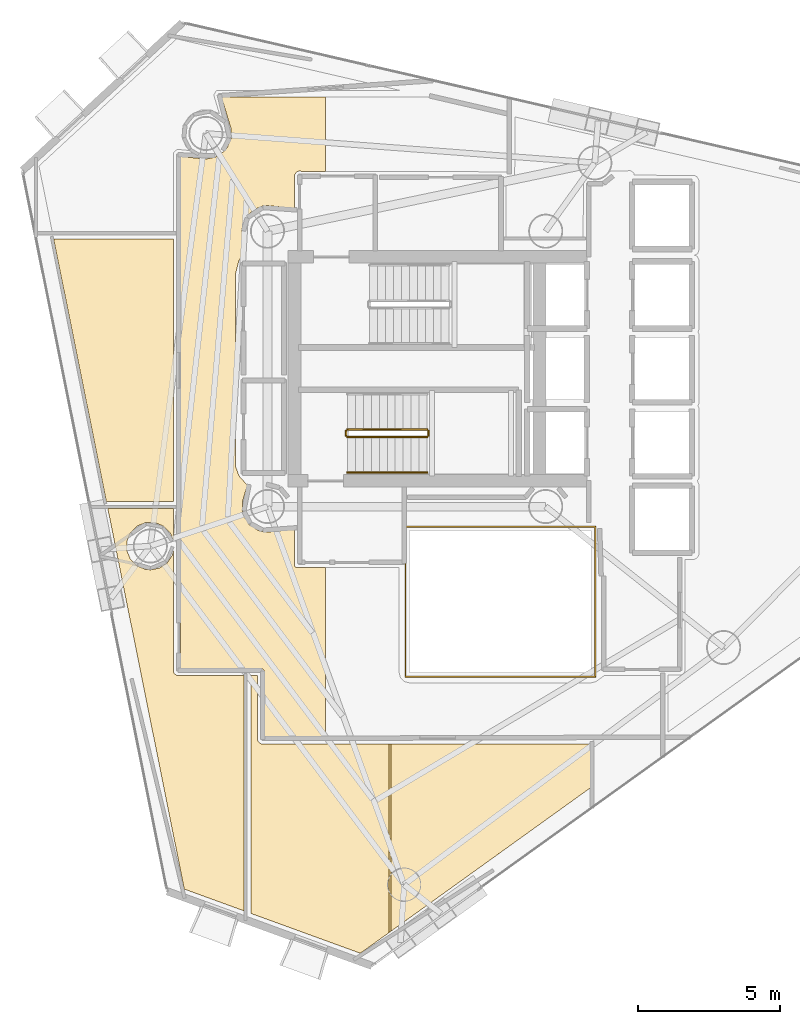
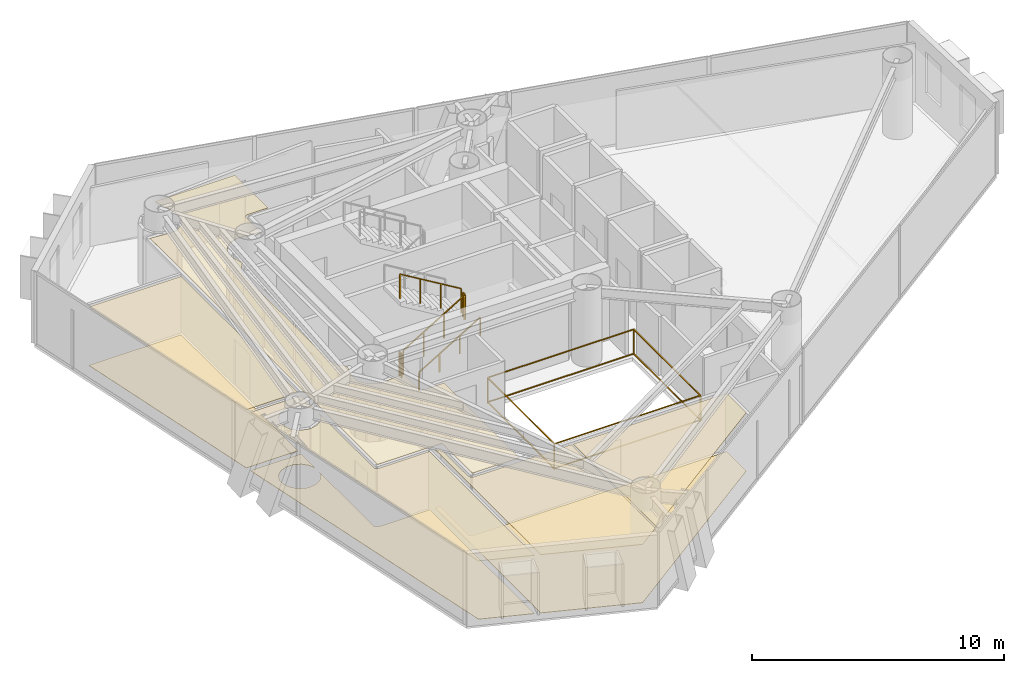
# One storey, part 20 of 22: 8 coverings, 6 railings.
"""IFC4 building model written with IfcOpenShell, lengths in metres."""

from ifc_helpers import new_model, si_unit, direction, frame, origin, origin_2d, place, context, subcontext, project, spatial, polyline, rectangle, outline, extrude, material, layer, layer_set, type_object, element, save


model = new_model("IFC4")

# Units and contexts
model_context = context("Model", 3, precision=1e-05, world=origin(), true_north=direction((0.0, 1.0)))
body_context = subcontext(model_context, "Body", "Model", "MODEL_VIEW")
ifc_project = project(units=[si_unit("LENGTHUNIT", "METRE"), si_unit("AREAUNIT", "SQUARE_METRE"), si_unit("VOLUMEUNIT", "CUBIC_METRE"), si_unit("PLANEANGLEUNIT", "RADIAN"), si_unit("MASSUNIT", "GRAM", prefix="KILO")], contexts=[model_context])

# Site, building, storey
site_placement = place(None, origin())
site = spatial("IfcSite", under=ifc_project, at=site_placement, CompositionType="ELEMENT")
building_placement = place(site_placement, origin())
building = spatial("IfcBuilding", under=site, at=building_placement, Name="Qianvela Tower", CompositionType="ELEMENT")
storey_placement = place(building_placement, frame((0.0, 0.0, 200.300048828125)))
storey = spatial("IfcBuildingStorey", under=building, at=storey_placement, Name="L51", CompositionType="ELEMENT", Elevation=200.300048828125)

# Coverings
ifc_material_1 = material(Name="Perforated Mineral Acoustic Ceiling Tile")
ifc_layer_1 = layer(ifc_material_1, 0.02490234375)
ifc_layer_set_1 = layer_set([ifc_layer_1], Name="Perforated Mineral Acoustic Ceiling Tile")
covering_type_1 = type_object("IfcCoveringType", Name="COV-CEIL-ACOUSTIC-25", PredefinedType="CEILING", material=ifc_layer_set_1)
covering_1_placement = place(storey_placement, frame((0.0, 0.0, 2.81494140625)))
element("IfcCovering", 1, at=covering_1_placement, inside=storey, type_object=covering_type_1, Name="L51 Acoustic Ceiling Bay 1 L51 Floor Corridor", PredefinedType="CEILING", context=body_context, shape_type="SweptSolid", body=[
    extrude(outline(polyline([(27.311767578125, 36.808837890625), (27.313720703125, 36.81640625), (27.31494140625, 36.82421875), (27.315185546875, 36.83203125), (27.315185546875, 37.152099609375), (27.31494140625, 37.159912109375), (27.313720703125, 37.16748046875), (27.311767578125, 37.17529296875), (26.979736328125, 38.27001953125), (30.634765625, 38.27001953125), (30.634765625, 35.658203125), (29.68798828125, 35.660888671875), (29.680419921875, 35.660400390625), (29.672607421875, 35.6591796875), (29.664794921875, 35.657470703125), (29.657470703125, 35.65478515625), (29.650390625, 35.6513671875), (29.6435546875, 35.6474609375), (29.63720703125, 35.642578125), (29.63134765625, 35.637451171875), (29.626220703125, 35.631591796875), (29.576171875, 35.57080078125), (29.571533203125, 35.564453125), (29.5673828125, 35.5576171875), (29.564208984375, 35.550537109375), (29.561279296875, 35.543212890625), (29.5595703125, 35.53564453125), (29.558349609375, 35.52783203125), (29.55810546875, 35.52001953125), (29.55810546875, 34.35595703125), (28.60791015625, 34.44970703125), (28.60009765625, 34.449951171875), (28.59228515625, 34.44970703125), (28.43212890625, 34.433837890625), (28.42431640625, 34.4326171875), (28.416748046875, 34.430908203125), (28.409423828125, 34.42822265625), (28.11376953125, 34.3056640625), (28.106689453125, 34.302490234375), (28.10009765625, 34.29833984375), (28.09375, 34.293701171875), (28.087890625, 34.288330078125), (27.861572265625, 34.06201171875), (27.8564453125, 34.056396484375), (27.851806640625, 34.050048828125), (27.84765625, 34.043212890625), (27.84423828125, 34.0361328125), (27.7216796875, 33.740478515625), (27.71923828125, 33.733154296875), (27.71728515625, 33.7255859375), (27.716064453125, 33.7177734375), (27.700439453125, 33.557861328125), (27.699951171875, 33.550048828125), (27.700439453125, 33.542236328125), (27.716064453125, 33.382080078125), (27.71728515625, 33.37451171875), (27.71923828125, 33.36669921875), (27.865478515625, 32.884521484375), (27.60107421875, 32.52685546875), (27.5966796875, 32.5205078125), (27.593017578125, 32.513427734375), (27.590087890625, 32.50634765625), (27.587890625, 32.4990234375), (27.472412109375, 32.0458984375), (27.47119140625, 32.039306640625), (27.47021484375, 32.03271484375), (27.469970703125, 32.026123046875), (27.469970703125, 25.291259765625), (27.47021484375, 25.2841796875), (27.47119140625, 25.27734375), (27.47265625, 25.2705078125), (27.474853515625, 25.263916015625), (27.59326171875, 24.938232421875), (27.59619140625, 24.93115234375), (27.599853515625, 24.92431640625), (27.604248046875, 24.91796875), (27.609130859375, 24.911865234375), (27.89111328125, 24.599853515625), (27.71923828125, 24.033203125), (27.71728515625, 24.025634765625), (27.716064453125, 24.017822265625), (27.7158203125, 24.010009765625), (27.7158203125, 23.68994140625), (27.716064453125, 23.68212890625), (27.71728515625, 23.67431640625), (27.71923828125, 23.666748046875), (27.765869140625, 23.512939453125), (27.7685546875, 23.505615234375), (27.77197265625, 23.49853515625), (27.77587890625, 23.49169921875), (27.95361328125, 23.2255859375), (27.958251953125, 23.219482421875), (27.963623046875, 23.213623046875), (27.969482421875, 23.208251953125), (27.9755859375, 23.20361328125), (28.24169921875, 23.02587890625), (28.24853515625, 23.02197265625), (28.255615234375, 23.0185546875), (28.262939453125, 23.015869140625), (28.416748046875, 22.96923828125), (28.42431640625, 22.96728515625), (28.43212890625, 22.966064453125), (28.59228515625, 22.950439453125), (28.60009765625, 22.949951171875), (28.60791015625, 22.950439453125), (29.55810546875, 23.0439453125), (29.55810546875, 21.780029296875), (29.558349609375, 21.772216796875), (29.5595703125, 21.764404296875), (29.561279296875, 21.7568359375), (29.564208984375, 21.74951171875), (29.5673828125, 21.7421875), (29.571533203125, 21.735595703125), (29.576171875, 21.729248046875), (29.581298828125, 21.723388671875), (29.587158203125, 21.71826171875), (29.593505859375, 21.71337890625), (29.600341796875, 21.70947265625), (29.607421875, 21.7060546875), (29.61474609375, 21.703369140625), (29.622314453125, 21.701416015625), (29.630126953125, 21.700439453125), (29.637939453125, 21.699951171875), (30.634765625, 21.699951171875), (30.634765625, 15.72998046875), (28.47998046875, 15.72998046875), (28.47998046875, 18.050048828125), (28.4794921875, 18.057861328125), (28.478515625, 18.065673828125), (28.4765625, 18.0732421875), (28.473876953125, 18.08056640625), (28.470703125, 18.087646484375), (28.466552734375, 18.094482421875), (28.4619140625, 18.100830078125), (28.45654296875, 18.106689453125), (28.45068359375, 18.11181640625), (28.4443359375, 18.116455078125), (28.437744140625, 18.12060546875), (28.4306640625, 18.123779296875), (28.423095703125, 18.126708984375), (28.41552734375, 18.12841796875), (28.40771484375, 18.129638671875), (28.39990234375, 18.1298828125), (25.530029296875, 18.1298828125), (25.530029296875, 36.180419921875), (26.423095703125, 36.09228515625), (26.430908203125, 36.092041015625), (26.438720703125, 36.09228515625), (26.446533203125, 36.093505859375), (26.760498046875, 36.156005859375), (26.76806640625, 36.157958984375), (26.775390625, 36.160400390625), (26.782470703125, 36.163818359375), (26.789306640625, 36.16796875), (27.055419921875, 36.345703125), (27.0615234375, 36.350341796875), (27.0673828125, 36.355712890625), (27.07275390625, 36.361328125), (27.174560546875, 36.485595703125), (27.17919921875, 36.491943359375), (27.183349609375, 36.498779296875), (27.186767578125, 36.505859375), (27.30908203125, 36.801513671875), (27.311767578125, 36.808837890625)])), origin(), (0.0, 0.0, 1.0), 0.02490234375),
])
covering_2_placement = place(storey_placement, frame((0.0, 0.0, 2.81494140625)))
element("IfcCovering", 2, at=covering_2_placement, inside=storey, type_object=covering_type_1, Name="L51 Acoustic Ceiling Digital Research Office L51-01", PredefinedType="CEILING", context=body_context, shape_type="SweptSolid", body=[
    extrude(outline(polyline([(25.291259765625, 22.706298828125), (25.264892578125, 22.7060546875), (25.177490234375, 22.913330078125), (25.17431640625, 22.92041015625), (25.17041015625, 22.927001953125), (25.165771484375, 22.93310546875), (25.160400390625, 22.938720703125), (24.95068359375, 23.1484375), (24.945068359375, 23.15380859375), (24.938720703125, 23.158447265625), (24.931884765625, 23.16259765625), (24.9248046875, 23.165771484375), (24.65087890625, 23.279296875), (24.6435546875, 23.281982421875), (24.635986328125, 23.283935546875), (24.628173828125, 23.284912109375), (24.620361328125, 23.285400390625), (24.32373046875, 23.285400390625), (24.31591796875, 23.284912109375), (24.30810546875, 23.283935546875), (24.300537109375, 23.281982421875), (24.293212890625, 23.279296875), (24.019287109375, 23.165771484375), (24.01220703125, 23.16259765625), (24.00537109375, 23.158447265625), (23.9990234375, 23.15380859375), (23.9931640625, 23.1484375), (23.783447265625, 22.938720703125), (23.7783203125, 22.93310546875), (23.773681640625, 22.9267578125), (23.76953125, 22.919921875), (23.76611328125, 22.912841796875), (23.652587890625, 22.638916015625), (23.64990234375, 22.631591796875), (23.648193359375, 22.623779296875), (23.64697265625, 22.6162109375), (23.646484375, 22.6083984375), (23.646484375, 22.311767578125), (23.64697265625, 22.303955078125), (23.648193359375, 22.296142578125), (23.64990234375, 22.28857421875), (23.652587890625, 22.281005859375), (23.76611328125, 22.007080078125), (23.76953125, 22.0), (23.773681640625, 21.993408203125), (23.7783203125, 21.987060546875), (23.783447265625, 21.981201171875), (23.9931640625, 21.771484375), (23.9990234375, 21.76611328125), (24.00537109375, 21.76171875), (24.01220703125, 21.757568359375), (24.019287109375, 21.754150390625), (24.293212890625, 21.640625), (24.300537109375, 21.637939453125), (24.30810546875, 21.635986328125), (24.31591796875, 21.635009765625), (24.464111328125, 21.620361328125), (24.471923828125, 21.6201171875), (24.479736328125, 21.620361328125), (24.487548828125, 21.62158203125), (24.7783203125, 21.679443359375), (24.7861328125, 21.681396484375), (24.79345703125, 21.683837890625), (24.800537109375, 21.687255859375), (24.807373046875, 21.69140625), (25.0537109375, 21.856201171875), (25.060302734375, 21.86083984375), (25.06591796875, 21.865966796875), (25.0712890625, 21.871826171875), (25.075927734375, 21.878173828125), (25.24072265625, 22.124755859375), (25.24462890625, 22.13134765625), (25.248046875, 22.138427734375), (25.25048828125, 22.145751953125), (25.25244140625, 22.1533203125), (25.29150390625, 22.344482421875), (25.296142578125, 18.019287109375), (25.29638671875, 18.011474609375), (25.297607421875, 18.003662109375), (25.299560546875, 17.99609375), (25.30224609375, 17.98876953125), (25.3056640625, 17.981689453125), (25.3095703125, 17.974853515625), (25.314208984375, 17.968505859375), (25.319580078125, 17.962890625), (25.3251953125, 17.95751953125), (25.33154296875, 17.952880859375), (25.405517578125, 17.903564453125), (25.412353515625, 17.8994140625), (25.41943359375, 17.89599609375), (25.4267578125, 17.893310546875), (25.434326171875, 17.8916015625), (25.442138671875, 17.890380859375), (25.449951171875, 17.889892578125), (27.778076171875, 17.889892578125), (27.778076171875, 9.604736328125), (25.66796875, 10.373779296875), (22.974853515625, 23.778076171875), (25.2900390625, 23.778076171875), (25.291259765625, 22.706298828125)])), origin(), (0.0, 0.0, 1.0), 0.02490234375),
])
covering_3_placement = place(storey_placement, frame((0.0, 0.0, 2.81494140625)))
element("IfcCovering", 3, at=covering_3_placement, inside=storey, type_object=covering_type_1, Name="L51 Acoustic Ceiling Quiet Reading Study L51-04", PredefinedType="CEILING", context=body_context, shape_type="SweptSolid", body=[
    extrude(outline(polyline([(25.2900390625, 33.278076171875), (25.2900390625, 24.02197265625), (22.92578125, 24.02197265625), (21.06640625, 33.278076171875), (25.2900390625, 33.278076171875)])), origin(), (0.0, 0.0, 1.0), 0.02490234375),
])
covering_4_placement = place(storey_placement, frame((0.0, 0.0, 2.81494140625)))
element("IfcCovering", 4, at=covering_4_placement, inside=storey, type_object=covering_type_1, Name="L51 Acoustic Ceiling Bay 1 Panoramic Study Lounge L51-05", PredefinedType="CEILING", context=body_context, shape_type="SweptSolid", body=[
    extrude(outline(polyline([(28.239990234375, 17.889892578125), (28.239990234375, 15.64990234375), (28.240478515625, 15.64208984375), (28.241455078125, 15.634521484375), (28.243408203125, 15.626708984375), (28.24609375, 15.619384765625), (28.24951171875, 15.6123046875), (28.25341796875, 15.605712890625), (28.25830078125, 15.59912109375), (28.322509765625, 15.520751953125), (28.327880859375, 15.514892578125), (28.33349609375, 15.509765625), (28.33984375, 15.5048828125), (28.3466796875, 15.5009765625), (28.353759765625, 15.49755859375), (28.361083984375, 15.4951171875), (28.368896484375, 15.4931640625), (28.37646484375, 15.491943359375), (28.384521484375, 15.491455078125), (32.87255859375, 15.490966796875), (32.87255859375, 8.83447265625), (31.86962890625, 8.11328125), (28.02197265625, 9.515625), (28.02197265625, 17.889892578125), (28.239990234375, 17.889892578125)])), origin(), (0.0, 0.0, 1.0), 0.02490234375),
])
covering_5_placement = place(storey_placement, frame((0.0, 0.0, 2.81494140625)))
element("IfcCovering", 5, at=covering_5_placement, inside=storey, type_object=covering_type_1, Name="L51 Acoustic Ceiling Bay 2 Panoramic Study Lounge L51-05", PredefinedType="CEILING", context=body_context, shape_type="SweptSolid", body=[
    extrude(outline(polyline([(39.97802734375, 15.489990234375), (39.97802734375, 13.942626953125), (32.952392578125, 8.891845703125), (32.952392578125, 15.490966796875), (39.97802734375, 15.489990234375)])), origin(), (0.0, 0.0, 1.0), 0.02490234375),
])
ifc_material_2 = material(Name="Engineered Acoustic Oak Timber Flooring", Category="wood")
ifc_layer_2 = layer(ifc_material_2, 0.02001953125)
ifc_layer_set_2 = layer_set([ifc_layer_2], Name="Engineered Acoustic Oak Timber Flooring")
covering_type_2 = type_object("IfcCoveringType", Name="COV-FLOOR-OAK-20", PredefinedType="FLOORING", material=ifc_layer_set_2)
covering_6_placement = place(storey_placement, origin())
element("IfcCovering", 6, at=covering_6_placement, inside=storey, type_object=covering_type_2, Name="L51 Finish Flooring Digital Research Office L51-01", PredefinedType="FLOORING", context=body_context, shape_type="SweptSolid", body=[
    extrude(outline(polyline([(25.291259765625, 22.706298828125), (25.264892578125, 22.7060546875), (25.177490234375, 22.913330078125), (25.17431640625, 22.92041015625), (25.17041015625, 22.927001953125), (25.165771484375, 22.93310546875), (25.160400390625, 22.938720703125), (24.95068359375, 23.1484375), (24.945068359375, 23.15380859375), (24.938720703125, 23.158447265625), (24.931884765625, 23.16259765625), (24.9248046875, 23.165771484375), (24.65087890625, 23.279296875), (24.6435546875, 23.281982421875), (24.635986328125, 23.283935546875), (24.628173828125, 23.284912109375), (24.620361328125, 23.285400390625), (24.32373046875, 23.285400390625), (24.31591796875, 23.284912109375), (24.30810546875, 23.283935546875), (24.300537109375, 23.281982421875), (24.293212890625, 23.279296875), (24.019287109375, 23.165771484375), (24.01220703125, 23.16259765625), (24.00537109375, 23.158447265625), (23.9990234375, 23.15380859375), (23.9931640625, 23.1484375), (23.783447265625, 22.938720703125), (23.7783203125, 22.93310546875), (23.773681640625, 22.9267578125), (23.76953125, 22.919921875), (23.76611328125, 22.912841796875), (23.652587890625, 22.638916015625), (23.64990234375, 22.631591796875), (23.648193359375, 22.623779296875), (23.64697265625, 22.6162109375), (23.646484375, 22.6083984375), (23.646484375, 22.311767578125), (23.64697265625, 22.303955078125), (23.648193359375, 22.296142578125), (23.64990234375, 22.28857421875), (23.652587890625, 22.281005859375), (23.76611328125, 22.007080078125), (23.76953125, 22.0), (23.773681640625, 21.993408203125), (23.7783203125, 21.987060546875), (23.783447265625, 21.981201171875), (23.9931640625, 21.771484375), (23.9990234375, 21.76611328125), (24.00537109375, 21.76171875), (24.01220703125, 21.757568359375), (24.019287109375, 21.754150390625), (24.293212890625, 21.640625), (24.300537109375, 21.637939453125), (24.30810546875, 21.635986328125), (24.31591796875, 21.635009765625), (24.464111328125, 21.620361328125), (24.471923828125, 21.6201171875), (24.479736328125, 21.620361328125), (24.487548828125, 21.62158203125), (24.7783203125, 21.679443359375), (24.7861328125, 21.681396484375), (24.79345703125, 21.683837890625), (24.800537109375, 21.687255859375), (24.807373046875, 21.69140625), (25.0537109375, 21.856201171875), (25.060302734375, 21.86083984375), (25.06591796875, 21.865966796875), (25.0712890625, 21.871826171875), (25.075927734375, 21.878173828125), (25.24072265625, 22.124755859375), (25.24462890625, 22.13134765625), (25.248046875, 22.138427734375), (25.25048828125, 22.145751953125), (25.25244140625, 22.1533203125), (25.29150390625, 22.344482421875), (25.296142578125, 18.019287109375), (25.29638671875, 18.011474609375), (25.297607421875, 18.003662109375), (25.299560546875, 17.99609375), (25.30224609375, 17.98876953125), (25.3056640625, 17.981689453125), (25.3095703125, 17.974853515625), (25.314208984375, 17.968505859375), (25.319580078125, 17.962890625), (25.3251953125, 17.95751953125), (25.33154296875, 17.952880859375), (25.405517578125, 17.903564453125), (25.412353515625, 17.8994140625), (25.41943359375, 17.89599609375), (25.4267578125, 17.893310546875), (25.434326171875, 17.8916015625), (25.442138671875, 17.890380859375), (25.449951171875, 17.889892578125), (27.778076171875, 17.889892578125), (27.778076171875, 9.604736328125), (25.66796875, 10.373779296875), (22.974853515625, 23.778076171875), (25.2900390625, 23.778076171875), (25.291259765625, 22.706298828125)])), origin(), (0.0, 0.0, 1.0), 0.02001953125),
])
covering_7_placement = place(storey_placement, origin())
element("IfcCovering", 7, at=covering_7_placement, inside=storey, type_object=covering_type_2, Name="L51 Finish Flooring Quiet Reading Study L51-04", PredefinedType="FLOORING", context=body_context, shape_type="SweptSolid", body=[
    extrude(outline(polyline([(25.2900390625, 33.278076171875), (25.2900390625, 24.02197265625), (22.92578125, 24.02197265625), (21.06640625, 33.278076171875), (25.2900390625, 33.278076171875)])), origin(), (0.0, 0.0, 1.0), 0.02001953125),
])
covering_8_placement = place(storey_placement, origin())
element("IfcCovering", 8, at=covering_8_placement, inside=storey, type_object=covering_type_2, Name="L51 Finish Flooring Panoramic Study Lounge L51-05", PredefinedType="FLOORING", context=body_context, shape_type="SweptSolid", body=[
    extrude(outline(polyline([(28.02197265625, 17.889892578125), (28.239990234375, 17.889892578125), (28.239990234375, 15.64990234375), (28.240478515625, 15.64208984375), (28.241455078125, 15.634521484375), (28.243408203125, 15.626708984375), (28.24609375, 15.619384765625), (28.24951171875, 15.6123046875), (28.25341796875, 15.605712890625), (28.25830078125, 15.59912109375), (28.322509765625, 15.520751953125), (28.327880859375, 15.514892578125), (28.33349609375, 15.509765625), (28.33984375, 15.5048828125), (28.3466796875, 15.5009765625), (28.353759765625, 15.49755859375), (28.361083984375, 15.4951171875), (28.368896484375, 15.4931640625), (28.37646484375, 15.491943359375), (28.384521484375, 15.491455078125), (39.97802734375, 15.489990234375), (39.97802734375, 13.942626953125), (31.86962890625, 8.11328125), (28.02197265625, 9.515625), (28.02197265625, 17.889892578125)])), origin(), (0.0, 0.0, 1.0), 0.02001953125),
])

# Railings
ifc_material_3 = material(Name="Laminated Safety Glass and Stainless Steel 316", Category="steel")
railing_type_1 = type_object("IfcRailingType", Name="RL-ATRIUM-GUARD-1250", PredefinedType="GUARDRAIL", material=ifc_material_3)
railing_1_placement = place(storey_placement, frame((33.4599609375, 17.860107421875, 0.0)))
element("IfcRailing", 9, at=railing_1_placement, inside=storey, type_object=railing_type_1, Name="L51 Atrium Edge Guardrail 1", PredefinedType="GUARDRAIL", context=body_context, shape_type="SweptSolid", body=[
    extrude(rectangle(XDim=0.050048828125, YDim=0.0400390625, at=origin_2d()), frame((0.0, 0.0, 1.22998046875), z_axis=(0.0, 1.0, 0.0), x_axis=(-1.0, 0.0, 0.0)), (0.0, 0.0, 1.0), 5.27978515625),
    extrude(rectangle(XDim=0.050048828125, YDim=0.0400390625, at=origin_2d()), frame((0.0, 0.0, 0.050048828125), z_axis=(0.0, 1.0, 0.0), x_axis=(-1.0, 0.0, 0.0)), (0.0, 0.0, 1.0), 5.27978515625),
    extrude(rectangle(XDim=0.050048828125, YDim=0.0400390625, at=origin_2d()), frame((0.0, 5.27978515625, 1.22998046875), z_axis=(1.0, 0.0, 0.0), x_axis=(0.0, 1.0, 0.0)), (0.0, 0.0, 1.0), 6.679931640625),
    extrude(rectangle(XDim=0.050048828125, YDim=0.0400390625, at=origin_2d()), frame((0.0, 5.27978515625, 0.050048828125), z_axis=(1.0, 0.0, 0.0), x_axis=(0.0, 1.0, 0.0)), (0.0, 0.0, 1.0), 6.679931640625),
    extrude(rectangle(XDim=0.050048828125, YDim=0.0400390625, at=origin_2d()), frame((6.679931640625, 5.27978515625, 1.22998046875), z_axis=(0.0, -1.0, 0.0), x_axis=(1.0, 0.0, 0.0)), (0.0, 0.0, 1.0), 5.27978515625),
    extrude(rectangle(XDim=0.050048828125, YDim=0.0400390625, at=origin_2d()), frame((6.679931640625, 5.27978515625, 0.050048828125), z_axis=(0.0, -1.0, 0.0), x_axis=(1.0, 0.0, 0.0)), (0.0, 0.0, 1.0), 5.27978515625),
    extrude(rectangle(XDim=0.050048828125, YDim=0.0400390625, at=origin_2d()), frame((6.679931640625, 0.0, 1.22998046875), z_axis=(-1.0, 0.0, 0.0), x_axis=(0.0, -1.0, 0.0)), (0.0, 0.0, 1.0), 6.679931640625),
    extrude(rectangle(XDim=0.050048828125, YDim=0.0400390625, at=origin_2d()), frame((6.679931640625, 0.0, 0.050048828125), z_axis=(-1.0, 0.0, 0.0), x_axis=(0.0, -1.0, 0.0)), (0.0, 0.0, 1.0), 6.679931640625),
    extrude(rectangle(XDim=0.050048828125, YDim=0.050048828125, at=origin_2d()), origin(), (0.0, 0.0, 1.0), 1.2099609375),
    extrude(rectangle(XDim=0.050048828125, YDim=0.050048828125, at=origin_2d()), frame((0.0, 5.27978515625, 0.0)), (0.0, 0.0, 1.0), 1.2099609375),
    extrude(rectangle(XDim=0.050048828125, YDim=0.050048828125, at=origin_2d()), frame((6.679931640625, 5.27978515625, 0.0)), (0.0, 0.0, 1.0), 1.2099609375),
    extrude(rectangle(XDim=0.050048828125, YDim=0.050048828125, at=origin_2d()), frame((6.679931640625, 0.0, 0.0)), (0.0, 0.0, 1.0), 1.2099609375),
])
ifc_material_4 = material(Name="Painted Tubular Steel Q355B", Category="steel")
railing_type_2 = type_object("IfcRailingType", Name="RL-STAIR-GUARD-1200", PredefinedType="GUARDRAIL", material=ifc_material_4)
railing_2_placement = place(storey_placement, frame((31.419921875, 26.300048828125, 0.168212890625)))
element("IfcRailing", 10, at=railing_2_placement, inside=storey, type_object=railing_type_2, Name="L51 ST-2 stair guard 1", PredefinedType="GUARDRAIL", context=body_context, shape_type="SweptSolid", body=[
    extrude(rectangle(XDim=0.050048828125, YDim=0.0400390625, at=origin_2d()), frame((0.0, 0.0, 1.179931640625), z_axis=(0.857275202839, 0.0, 0.514858452973), x_axis=(0.0, 1.0, 0.0)), (0.0, 0.0, 1.0), 3.26611328125),
    extrude(rectangle(XDim=0.050048828125, YDim=0.050048828125, at=origin_2d()), origin(), (0.0, 0.0, 1.0), 1.159912109375),
    extrude(rectangle(XDim=0.050048828125, YDim=0.050048828125, at=origin_2d()), frame((0.933349609375, 0.0, 0.560546875)), (0.0, 0.0, 1.0), 1.159912109375),
    extrude(rectangle(XDim=0.050048828125, YDim=0.050048828125, at=origin_2d()), frame((1.86669921875, 0.0, 1.12109375)), (0.0, 0.0, 1.0), 1.159912109375),
    extrude(rectangle(XDim=0.050048828125, YDim=0.050048828125, at=origin_2d()), frame((2.800048828125, 0.0, 1.681640625)), (0.0, 0.0, 1.0), 1.159912109375),
])
railing_3_placement = place(storey_placement, frame((34.27001953125, 26.35009765625, 1.849853515625)))
element("IfcRailing", 11, at=railing_3_placement, inside=storey, type_object=railing_type_2, Name="L51 ST-2 stair guard 2", PredefinedType="GUARDRAIL", context=body_context, shape_type="SweptSolid", body=[
    extrude(rectangle(XDim=0.050048828125, YDim=0.0400390625, at=origin_2d()), frame((0.0, 0.0, 1.179931640625), z_axis=(0.0, 1.0, 0.0), x_axis=(-1.0, 0.0, 0.0)), (0.0, 0.0, 1.0), 0.159912109375),
    extrude(rectangle(XDim=0.050048828125, YDim=0.050048828125, at=origin_2d()), origin(), (0.0, 0.0, 1.0), 1.159912109375),
    extrude(rectangle(XDim=0.050048828125, YDim=0.050048828125, at=origin_2d()), frame((0.0, 0.159912109375, 0.0)), (0.0, 0.0, 1.0), 1.159912109375),
])
railing_4_placement = place(storey_placement, frame((34.219970703125, 26.56005859375, 2.01806640625)))
element("IfcRailing", 12, at=railing_4_placement, inside=storey, type_object=railing_type_2, Name="L51 ST-2 stair guard 3", PredefinedType="GUARDRAIL", context=body_context, shape_type="SweptSolid", body=[
    extrude(rectangle(XDim=0.050048828125, YDim=0.0400390625, at=origin_2d()), frame((0.0, 0.0, 1.179931640625), z_axis=(-0.857242210791, 0.0, 0.514913383045), x_axis=(0.0, -1.0, 0.0)), (0.0, 0.0, 1.0), 3.266357421875),
    extrude(rectangle(XDim=0.050048828125, YDim=0.050048828125, at=origin_2d()), origin(), (0.0, 0.0, 1.0), 1.159912109375),
    extrude(rectangle(XDim=0.050048828125, YDim=0.050048828125, at=origin_2d()), frame((-0.933349609375, 0.0, 0.560546875)), (0.0, 0.0, 1.0), 1.159912109375),
    extrude(rectangle(XDim=0.050048828125, YDim=0.050048828125, at=origin_2d()), frame((-1.86669921875, 0.0, 1.121337890625)), (0.0, 0.0, 1.0), 1.159912109375),
    extrude(rectangle(XDim=0.050048828125, YDim=0.050048828125, at=origin_2d()), frame((-2.800048828125, 0.0, 1.681884765625)), (0.0, 0.0, 1.0), 1.159912109375),
])
railing_5_placement = place(storey_placement, frame((31.3701171875, 26.35009765625, 0.0)))
element("IfcRailing", 13, at=railing_5_placement, inside=storey, type_object=railing_type_2, Name="L51 ST-2 stair guard 4", PredefinedType="GUARDRAIL", context=body_context, shape_type="SweptSolid", body=[
    extrude(rectangle(XDim=0.050048828125, YDim=0.0400390625, at=origin_2d()), frame((0.0, 0.0, 1.179931640625), z_axis=(0.0, 1.0, 0.0), x_axis=(-1.0, 0.0, 0.0)), (0.0, 0.0, 1.0), 0.159912109375),
    extrude(rectangle(XDim=0.050048828125, YDim=0.050048828125, at=origin_2d()), origin(), (0.0, 0.0, 1.0), 1.159912109375),
    extrude(rectangle(XDim=0.050048828125, YDim=0.050048828125, at=origin_2d()), frame((0.0, 0.159912109375, 0.0)), (0.0, 0.0, 1.0), 1.159912109375),
])
ifc_material_5 = material(Name="Brushed Stainless Steel 304", Category="steel")
railing_type_3 = type_object("IfcRailingType", Name="RL-STAIR-HANDRAIL-900", PredefinedType="HANDRAIL", material=ifc_material_5)
railing_6_placement = place(storey_placement, frame((31.419921875, 25.050048828125, 0.168212890625)))
element("IfcRailing", 14, at=railing_6_placement, inside=storey, type_object=railing_type_3, Name="L51 ST-2 stair handrail 1", PredefinedType="HANDRAIL", context=body_context, shape_type="SweptSolid", body=[
    extrude(rectangle(XDim=0.050048828125, YDim=0.0400390625, at=origin_2d()), frame((0.0, 0.0, 0.8798828125), z_axis=(0.857275202839, 0.0, 0.514858452973), x_axis=(0.0, 1.0, 0.0)), (0.0, 0.0, 1.0), 3.26611328125),
    extrude(rectangle(XDim=0.050048828125, YDim=0.050048828125, at=origin_2d()), origin(), (0.0, 0.0, 1.0), 0.85986328125),
    extrude(rectangle(XDim=0.050048828125, YDim=0.050048828125, at=origin_2d()), frame((0.933349609375, 0.0, 0.560546875)), (0.0, 0.0, 1.0), 0.85986328125),
    extrude(rectangle(XDim=0.050048828125, YDim=0.050048828125, at=origin_2d()), frame((1.86669921875, 0.0, 1.12109375)), (0.0, 0.0, 1.0), 0.85986328125),
    extrude(rectangle(XDim=0.050048828125, YDim=0.050048828125, at=origin_2d()), frame((2.800048828125, 0.0, 1.681640625)), (0.0, 0.0, 1.0), 0.85986328125),
])

save(model, "model.ifc")
